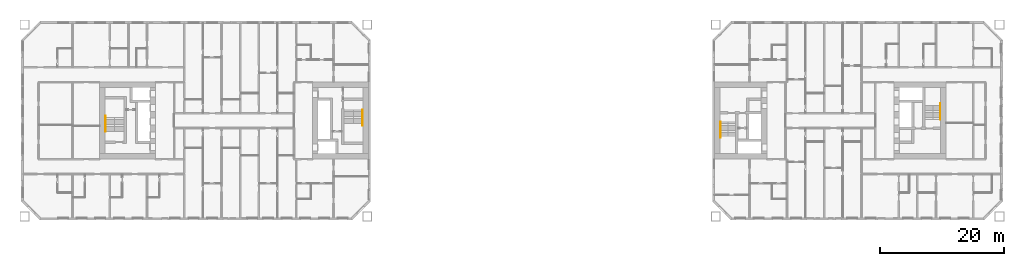
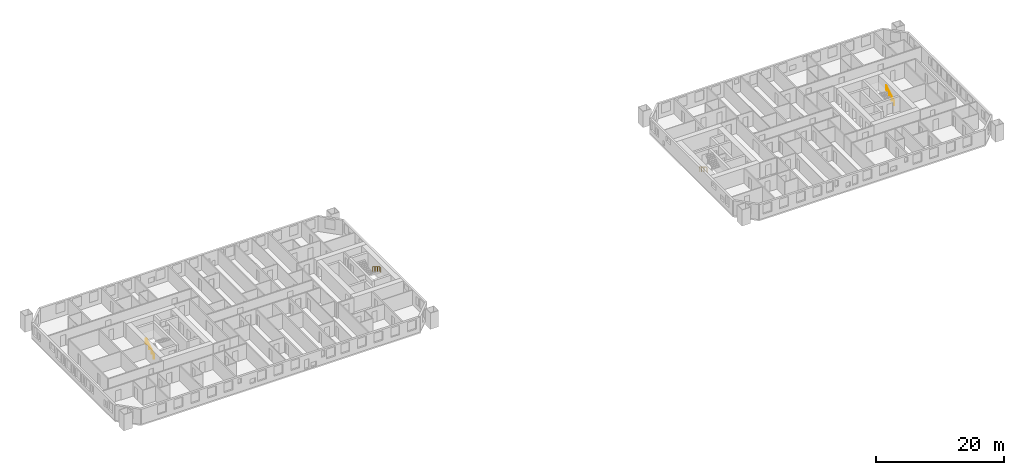
# One storey, part 18 of 18: 4 railings.
"""IFC4 building model written with IfcOpenShell, lengths in metres."""

from ifc_helpers import new_model, si_unit, direction, frame, origin, origin_2d, place, context, subcontext, project, spatial, circle, extrude, material, type_object, element, save


model = new_model("IFC4")

# Units and contexts
model_context = context("Model", 3, precision=1e-05, world=origin(), true_north=direction((0.0, 1.0)))
body_context = subcontext(model_context, "Body", "Model", "MODEL_VIEW")
ifc_project = project(units=[si_unit("LENGTHUNIT", "METRE"), si_unit("AREAUNIT", "SQUARE_METRE"), si_unit("VOLUMEUNIT", "CUBIC_METRE"), si_unit("PLANEANGLEUNIT", "RADIAN"), si_unit("MASSUNIT", "GRAM", prefix="KILO")], contexts=[model_context])

# Site, building, storey
site_placement = place(None, origin())
site = spatial("IfcSite", under=ifc_project, at=site_placement, CompositionType="ELEMENT")
building_placement = place(site_placement, origin())
building = spatial("IfcBuilding", under=site, at=building_placement, Name="Tuart Gate Housing", CompositionType="ELEMENT")
storey_placement = place(building_placement, frame((0.0, 0.0, 31.89990234375)))
storey = spatial("IfcBuildingStorey", under=building, at=storey_placement, Name="L08", CompositionType="ELEMENT", Elevation=31.89990234375)

# Railings
ifc_material = material(Name="Stainless steel", Category="steel")
railing_type = type_object("IfcRailingType", Name="Stair handrail 900", PredefinedType="HANDRAIL", material=ifc_material)
railing_1_placement = place(storey_placement, frame((74.679931640625, 71.75, 0.17236328125)))
element("IfcRailing", 1, at=railing_1_placement, inside=storey, type_object=railing_type, Name="Stair handrail SA1.1", PredefinedType="HANDRAIL", context=body_context, shape_type="SweptSolid", body=[
    extrude(circle(Radius=0.02392578125, at=origin_2d()), frame((0.0, 0.0, 0.8759765625), z_axis=(0.0, -0.85178898068, 0.523885037382), x_axis=(1.0, 0.0, 0.0)), (0.0, 0.0, 1.0), 2.629638671875),
    extrude(circle(Radius=0.02392578125, at=origin_2d()), frame((0.0, -2.239990234375, 2.25341796875), z_axis=(0.0, -1.0, 0.0), x_axis=(1.0, 0.0, 0.0)), (0.0, 0.0, 1.0), 0.300048828125),
    extrude(circle(Radius=0.02099609375, at=origin_2d()), origin(), (0.0, 0.0, 1.0), 0.851806640625),
    extrude(circle(Radius=0.02099609375, at=origin_2d()), frame((0.0, -0.74658203125, 0.459228515625)), (0.0, 0.0, 1.0), 0.851806640625),
    extrude(circle(Radius=0.02099609375, at=origin_2d()), frame((0.0, -1.493408203125, 0.91845703125)), (0.0, 0.0, 1.0), 0.851806640625),
    extrude(circle(Radius=0.02099609375, at=origin_2d()), frame((0.0, -2.239990234375, 1.377685546875)), (0.0, 0.0, 1.0), 0.851806640625),
    extrude(circle(Radius=0.02099609375, at=origin_2d()), frame((0.0, -2.5400390625, 1.377685546875)), (0.0, 0.0, 1.0), 0.851806640625),
])
railing_2_placement = place(storey_placement, frame((33.320068359375, 68.25, 0.17236328125)))
element("IfcRailing", 2, at=railing_2_placement, inside=storey, type_object=railing_type, Name="Stair handrail SA2.1", PredefinedType="HANDRAIL", context=body_context, shape_type="SweptSolid", body=[
    extrude(circle(Radius=0.02392578125, at=origin_2d()), frame((0.0, 0.0, 0.8759765625), z_axis=(0.0, 0.85178898068, 0.523885037382), x_axis=(-1.0, 0.0, 0.0)), (0.0, 0.0, 1.0), 2.629638671875),
    extrude(circle(Radius=0.02392578125, at=origin_2d()), frame((0.0, 2.239990234375, 2.25341796875), z_axis=(0.0, 1.0, 0.0), x_axis=(-1.0, 0.0, 0.0)), (0.0, 0.0, 1.0), 0.300048828125),
    extrude(circle(Radius=0.02099609375, at=origin_2d()), origin(), (0.0, 0.0, 1.0), 0.851806640625),
    extrude(circle(Radius=0.02099609375, at=origin_2d()), frame((0.0, 0.74658203125, 0.459228515625)), (0.0, 0.0, 1.0), 0.851806640625),
    extrude(circle(Radius=0.02099609375, at=origin_2d()), frame((0.0, 1.493408203125, 0.91845703125)), (0.0, 0.0, 1.0), 0.851806640625),
    extrude(circle(Radius=0.02099609375, at=origin_2d()), frame((0.0, 2.239990234375, 1.377685546875)), (0.0, 0.0, 1.0), 0.851806640625),
    extrude(circle(Radius=0.02099609375, at=origin_2d()), frame((0.0, 2.5400390625, 1.377685546875)), (0.0, 0.0, 1.0), 0.851806640625),
])
railing_3_placement = place(storey_placement, frame((132.320068359375, 69.800048828125, 0.17236328125)))
element("IfcRailing", 3, at=railing_3_placement, inside=storey, type_object=railing_type, Name="Stair handrail SB1.1", PredefinedType="HANDRAIL", context=body_context, shape_type="SweptSolid", body=[
    extrude(circle(Radius=0.02392578125, at=origin_2d()), frame((0.0, 0.0, 0.8759765625), z_axis=(0.0, -0.85178898068, 0.523885037382), x_axis=(1.0, 0.0, 0.0)), (0.0, 0.0, 1.0), 2.629638671875),
    extrude(circle(Radius=0.02392578125, at=origin_2d()), frame((0.0, -2.239990234375, 2.25341796875), z_axis=(0.0, -1.0, 0.0), x_axis=(1.0, 0.0, 0.0)), (0.0, 0.0, 1.0), 0.300048828125),
    extrude(circle(Radius=0.02099609375, at=origin_2d()), origin(), (0.0, 0.0, 1.0), 0.851806640625),
    extrude(circle(Radius=0.02099609375, at=origin_2d()), frame((0.0, -0.74658203125, 0.459228515625)), (0.0, 0.0, 1.0), 0.851806640625),
    extrude(circle(Radius=0.02099609375, at=origin_2d()), frame((0.0, -1.493408203125, 0.91845703125)), (0.0, 0.0, 1.0), 0.851806640625),
    extrude(circle(Radius=0.02099609375, at=origin_2d()), frame((0.0, -2.239990234375, 1.377685546875)), (0.0, 0.0, 1.0), 0.851806640625),
    extrude(circle(Radius=0.02099609375, at=origin_2d()), frame((0.0, -2.5400390625, 1.377685546875)), (0.0, 0.0, 1.0), 0.851806640625),
])
railing_4_placement = place(storey_placement, frame((167.679931640625, 70.199951171875, 0.17236328125)))
element("IfcRailing", 4, at=railing_4_placement, inside=storey, type_object=railing_type, Name="Stair handrail SB2.1", PredefinedType="HANDRAIL", context=body_context, shape_type="SweptSolid", body=[
    extrude(circle(Radius=0.02392578125, at=origin_2d()), frame((0.0, 0.0, 0.8759765625), z_axis=(0.0, 0.85178898068, 0.523885037382), x_axis=(-1.0, 0.0, 0.0)), (0.0, 0.0, 1.0), 2.629638671875),
    extrude(circle(Radius=0.02392578125, at=origin_2d()), frame((0.0, 2.239990234375, 2.25341796875), z_axis=(0.0, 1.0, 0.0), x_axis=(-1.0, 0.0, 0.0)), (0.0, 0.0, 1.0), 0.300048828125),
    extrude(circle(Radius=0.02099609375, at=origin_2d()), origin(), (0.0, 0.0, 1.0), 0.851806640625),
    extrude(circle(Radius=0.02099609375, at=origin_2d()), frame((0.0, 0.74658203125, 0.459228515625)), (0.0, 0.0, 1.0), 0.851806640625),
    extrude(circle(Radius=0.02099609375, at=origin_2d()), frame((0.0, 1.493408203125, 0.91845703125)), (0.0, 0.0, 1.0), 0.851806640625),
    extrude(circle(Radius=0.02099609375, at=origin_2d()), frame((0.0, 2.239990234375, 1.377685546875)), (0.0, 0.0, 1.0), 0.851806640625),
    extrude(circle(Radius=0.02099609375, at=origin_2d()), frame((0.0, 2.5400390625, 1.377685546875)), (0.0, 0.0, 1.0), 0.851806640625),
])

save(model, "model.ifc")
